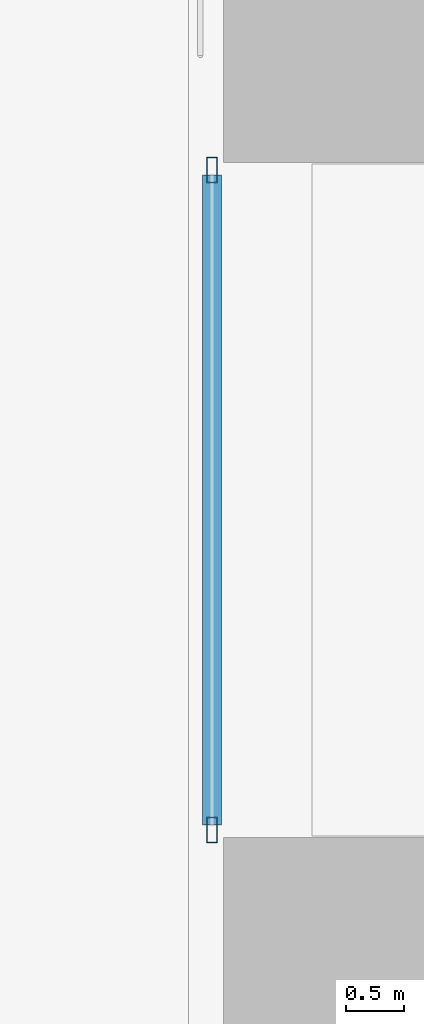
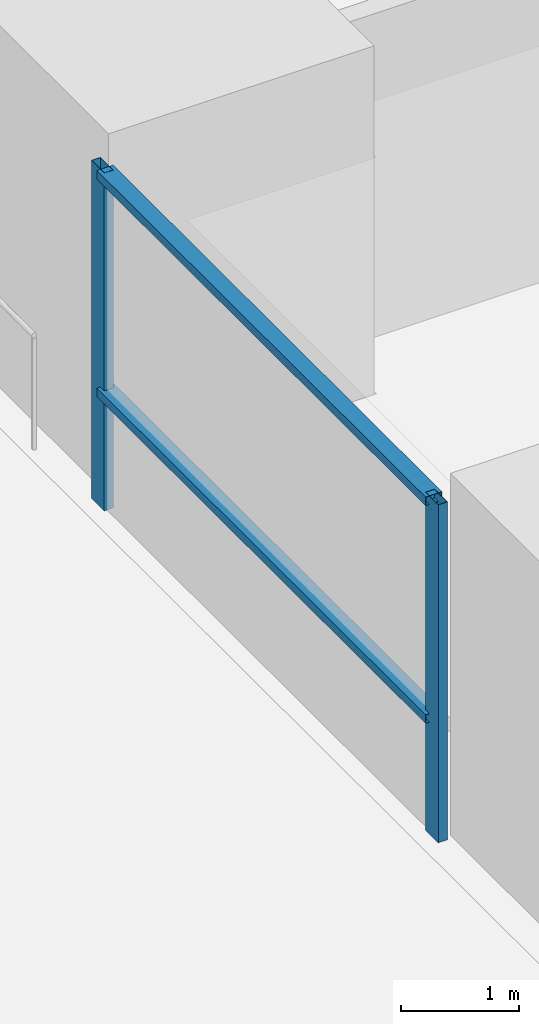
# One storey, part 4 of 35: 4 members, 1 element without a shape of its own.
"""IFC4 building model written with IfcOpenShell, lengths in metres."""

from ifc_helpers import new_model, si_unit, direction, frame, origin, origin_2d, place, context, subcontext, project, spatial, hollow_rectangle, extrude, material, material_profile, profile_set, type_object, element, aggregate, save


model = new_model("IFC4")

# Units and contexts
model_context = context("Model", 3, precision=1e-05, world=origin(), true_north=direction((0.0, 1.0)))
body_context = subcontext(model_context, "Body", "Model", "MODEL_VIEW")
ifc_project = project(units=[si_unit("LENGTHUNIT", "METRE"), si_unit("AREAUNIT", "SQUARE_METRE"), si_unit("VOLUMEUNIT", "CUBIC_METRE"), si_unit("PLANEANGLEUNIT", "RADIAN"), si_unit("MASSUNIT", "GRAM", prefix="KILO")], contexts=[model_context])

# Site, building, storey
site_placement = place(None, origin())
site = spatial("IfcSite", under=ifc_project, at=site_placement, CompositionType="ELEMENT")
building_placement = place(site_placement, origin())
building = spatial("IfcBuilding", under=site, at=building_placement, Name="Rekha Terrace Tower", CompositionType="ELEMENT")
storey_placement = place(building_placement, frame((0.0, 0.0, 25.39990234375)))
storey = spatial("IfcBuildingStorey", under=building, at=storey_placement, Name="L05", CompositionType="ELEMENT", Elevation=25.39990234375)

# Curtain wall, members
ifc_material_1 = material(Name="Aluminium framing", Category="aluminium")
curtain_wall_type = type_object("IfcCurtainWallType", Name="CW5 sky garden glazing", PredefinedType="USERDEFINED", material=ifc_material_1)
curtain_wall_placement = place(storey_placement, origin())
curtain_wall = element("IfcCurtainWall", 1, at=curtain_wall_placement, inside=storey, type_object=curtain_wall_type, Name="CW5 sky garden curtain wall", ObjectType="SKY GARDEN CURTAIN WALL", PredefinedType="USERDEFINED")
ifc_material_2 = material(Name="Aluminium mullion section", Category="aluminium")
ifc_material_profile_1 = material_profile(ifc_material_2, hollow_rectangle(XDim=0.090087890625, YDim=0.219970703125, WallThickness=0.00390625, at=origin_2d()), Name="AL RHS 90x220")
ifc_profile_set_1 = profile_set([ifc_material_profile_1], Name="Aluminium mullion section")
member_type_1 = type_object("IfcMemberType", Name="CW5 mullion RHS 90 x 220", PredefinedType="MULLION", material=ifc_profile_set_1)
member_1_placement = place(storey_placement, frame((7.0, 23.8349609375, 0.0), z_axis=(0.0, 0.0, 1.0), x_axis=(1.0, 0.0, 0.0)))
member_1 = element("IfcMember", 2, at=member_1_placement, type_object=member_type_1, Name="CW5 mullion 1", PredefinedType="MULLION", context=body_context, shape_type="SweptSolid", body=[
    extrude(hollow_rectangle(XDim=0.090087890625, YDim=0.219970703125, WallThickness=0.00390625, at=origin_2d()), origin(), (0.0, 0.0, 1.0), 3.5),
])
member_2_placement = place(storey_placement, frame((7.0, 18.1650390625, 0.0), z_axis=(0.0, 0.0, 1.0), x_axis=(1.0, 0.0, 0.0)))
member_2 = element("IfcMember", 3, at=member_2_placement, type_object=member_type_1, Name="CW5 mullion 2", PredefinedType="MULLION", context=body_context, shape_type="SweptSolid", body=[
    extrude(hollow_rectangle(XDim=0.090087890625, YDim=0.219970703125, WallThickness=0.00390625, at=origin_2d()), origin(), (0.0, 0.0, 1.0), 3.5),
])
ifc_material_3 = material(Name="Aluminium transom section", Category="aluminium")
ifc_material_profile_2 = material_profile(ifc_material_3, hollow_rectangle(XDim=0.159912109375, YDim=0.090087890625, WallThickness=0.0029296875, at=origin_2d()), Name="AL RHS 160x90")
ifc_profile_set_2 = profile_set([ifc_material_profile_2], Name="Aluminium transom section")
member_type_2 = type_object("IfcMemberType", Name="CW5 transom RHS 90 x 160", PredefinedType="USERDEFINED", material=ifc_profile_set_2)
member_3_placement = place(storey_placement, frame((7.0, 23.7900390625, 1.2001953125), z_axis=(0.0, -1.0, 0.0), x_axis=(1.0, 0.0, 0.0)))
member_3 = element("IfcMember", 4, at=member_3_placement, type_object=member_type_2, Name="CW5 transom 1.2", ObjectType="TRANSOM", PredefinedType="USERDEFINED", context=body_context, shape_type="SweptSolid", body=[
    extrude(hollow_rectangle(XDim=0.159912109375, YDim=0.090087890625, WallThickness=0.0029296875, at=origin_2d()), origin(), (0.0, 0.0, 1.0), 5.580078125),
])
member_4_placement = place(storey_placement, frame((7.0, 23.7900390625, 3.455078125), z_axis=(0.0, -1.0, 0.0), x_axis=(1.0, 0.0, 0.0)))
member_4 = element("IfcMember", 5, at=member_4_placement, type_object=member_type_2, Name="CW5 transom 1.3", ObjectType="TRANSOM", PredefinedType="USERDEFINED", context=body_context, shape_type="SweptSolid", body=[
    extrude(hollow_rectangle(XDim=0.159912109375, YDim=0.090087890625, WallThickness=0.0029296875, at=origin_2d()), origin(), (0.0, 0.0, 1.0), 5.580078125),
])
aggregate(curtain_wall, [member_1, member_2, member_3, member_4])

save(model, "model.ifc")
